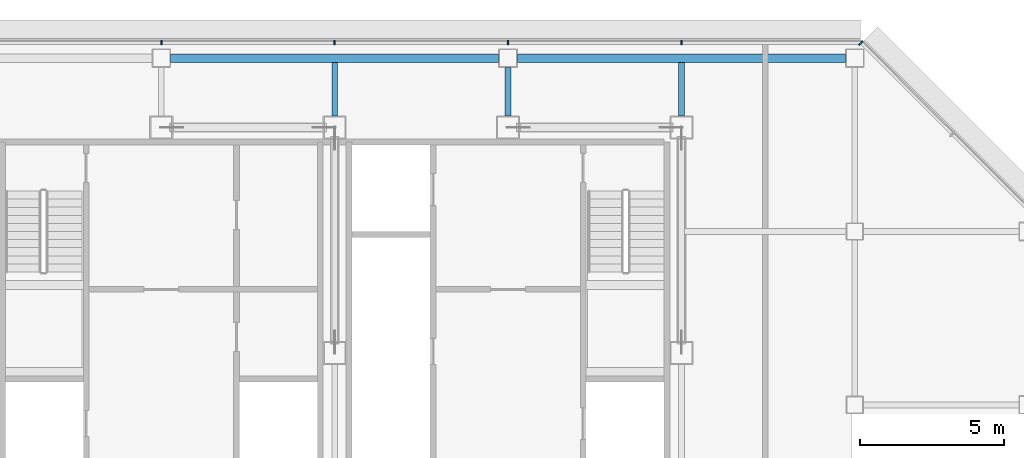
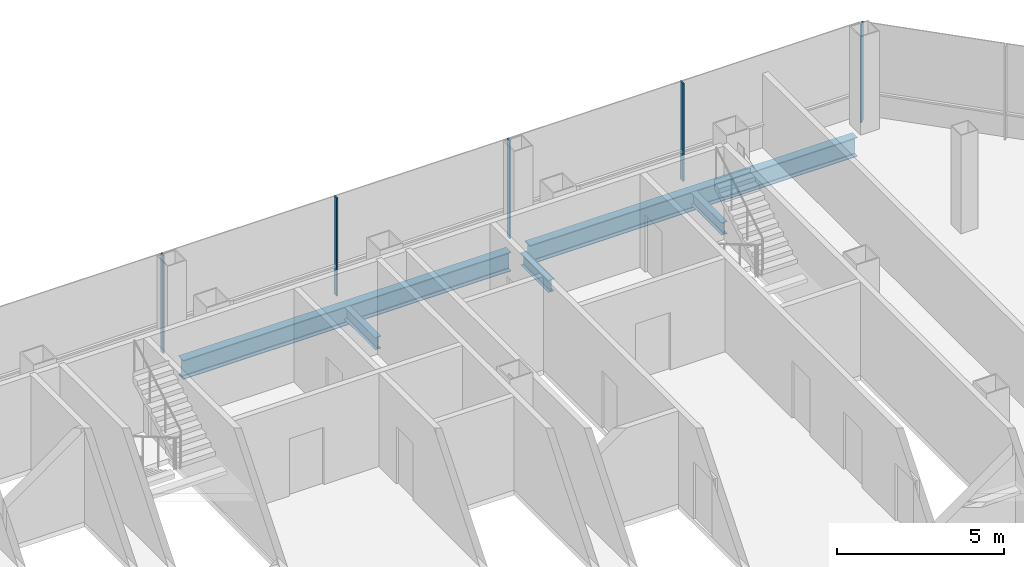
# One storey, part 15 of 27: 5 beams, 5 members, 2 elements without a shape of their own.
"""IFC4 building model written with IfcOpenShell, lengths in metres."""

from ifc_helpers import new_model, si_unit, direction, frame, origin, origin_2d, place, context, subcontext, project, spatial, rectangle, i_section, extrude, material, material_profile, profile_set, type_object, element, aggregate, save


model = new_model("IFC4")

# Units and contexts
model_context = context("Model", 3, precision=1e-05, world=origin(), true_north=direction((0.0, 1.0)))
body_context = subcontext(model_context, "Body", "Model", "MODEL_VIEW")
ifc_project = project(units=[si_unit("LENGTHUNIT", "METRE"), si_unit("AREAUNIT", "SQUARE_METRE"), si_unit("VOLUMEUNIT", "CUBIC_METRE"), si_unit("PLANEANGLEUNIT", "RADIAN"), si_unit("MASSUNIT", "GRAM", prefix="KILO")], contexts=[model_context])

# Site, building, storey
site_placement = place(None, origin())
site = spatial("IfcSite", under=ifc_project, at=site_placement, CompositionType="ELEMENT")
building_placement = place(site_placement, origin())
building = spatial("IfcBuilding", under=site, at=building_placement, Name="Sorahane Residences", CompositionType="ELEMENT")
storey_placement = place(building_placement, frame((0.0, 0.0, 226.199951171875)))
storey = spatial("IfcBuildingStorey", under=building, at=storey_placement, Name="L53", CompositionType="ELEMENT", Elevation=226.199951171875)

# Curtain wall, members
ifc_material_1 = material(Name="Dark low-e glass and black anodised aluminium", Category="aluminium")
curtain_wall_type_1 = type_object("IfcCurtainWallType", Name="Curtain wall CW-1 Typical unitised wall", PredefinedType="NOTDEFINED", material=ifc_material_1)
curtain_wall_1_placement = place(storey_placement, origin())
curtain_wall_1 = element("IfcCurtainWall", 1, at=curtain_wall_1_placement, inside=storey, type_object=curtain_wall_type_1, Name="CW-1 curtain wall L53 N1", PredefinedType="NOTDEFINED")
ifc_material_2 = material(Name="Black anodised aluminium", Category="aluminium")
ifc_material_profile_1 = material_profile(ifc_material_2, rectangle(XDim=0.159912109375, YDim=0.050048828125, at=origin_2d()), Name="Curtain wall mullion CW-1 black anodised aluminium 50x160")
ifc_profile_set_1 = profile_set([ifc_material_profile_1], Name="Black anodised aluminium")
member_type_1 = type_object("IfcMemberType", Name="Curtain wall mullion CW-1 black anodised aluminium 50x160", PredefinedType="MULLION", material=ifc_profile_set_1)
member_1_placement = place(storey_placement, frame((42.0, 48.5400390625, -0.179931640625), z_axis=(0.0, 0.0, 1.0), x_axis=(0.0, 1.0, 0.0)))
member_1 = element("IfcMember", 2, at=member_1_placement, type_object=member_type_1, Name="CW-1 mullion L53 N1.2", PredefinedType="MULLION", context=body_context, shape_type="SweptSolid", body=[
    extrude(rectangle(XDim=0.159912109375, YDim=0.050048828125, at=origin_2d()), origin(), (0.0, 0.0, 1.0), 3.60009765625),
])
member_2_placement = place(storey_placement, frame((36.0, 48.5400390625, -0.179931640625), z_axis=(0.0, 0.0, 1.0), x_axis=(0.0, 1.0, 0.0)))
member_2 = element("IfcMember", 3, at=member_2_placement, type_object=member_type_1, Name="CW-1 mullion L53 N1.3", PredefinedType="MULLION", context=body_context, shape_type="SweptSolid", body=[
    extrude(rectangle(XDim=0.159912109375, YDim=0.050048828125, at=origin_2d()), origin(), (0.0, 0.0, 1.0), 3.60009765625),
])
member_3_placement = place(storey_placement, frame((30.0, 48.5400390625, -0.179931640625), z_axis=(0.0, 0.0, 1.0), x_axis=(0.0, 1.0, 0.0)))
member_3 = element("IfcMember", 4, at=member_3_placement, type_object=member_type_1, Name="CW-1 mullion L53 N1.4", PredefinedType="MULLION", context=body_context, shape_type="SweptSolid", body=[
    extrude(rectangle(XDim=0.159912109375, YDim=0.050048828125, at=origin_2d()), origin(), (0.0, 0.0, 1.0), 3.60009765625),
])
member_4_placement = place(storey_placement, frame((24.0, 48.5400390625, -0.179931640625), z_axis=(0.0, 0.0, 1.0), x_axis=(0.0, 1.0, 0.0)))
member_4 = element("IfcMember", 5, at=member_4_placement, type_object=member_type_1, Name="CW-1 mullion L53 N1.5", PredefinedType="MULLION", context=body_context, shape_type="SweptSolid", body=[
    extrude(rectangle(XDim=0.159912109375, YDim=0.050048828125, at=origin_2d()), origin(), (0.0, 0.0, 1.0), 3.60009765625),
])
aggregate(curtain_wall_1, [member_1, member_2, member_3, member_4])

# Curtain wall, member
ifc_material_3 = material(Name="Dark low-e glass and black anodised aluminium", Category="aluminium")
curtain_wall_type_2 = type_object("IfcCurtainWallType", Name="Curtain wall CW-2 Chamfer unitised wall", PredefinedType="NOTDEFINED", material=ifc_material_3)
curtain_wall_2_placement = place(storey_placement, origin())
curtain_wall_2 = element("IfcCurtainWall", 6, at=curtain_wall_2_placement, inside=storey, type_object=curtain_wall_type_2, Name="CW-2 curtain wall L53 NE1", PredefinedType="NOTDEFINED")
ifc_material_4 = material(Name="Black anodised aluminium", Category="aluminium")
ifc_material_profile_2 = material_profile(ifc_material_4, rectangle(XDim=0.199951171875, YDim=0.050048828125, at=origin_2d()), Name="Curtain wall mullion CW-2 black anodised aluminium 50x200")
ifc_profile_set_2 = profile_set([ifc_material_profile_2], Name="Black anodised aluminium")
member_type_2 = type_object("IfcMemberType", Name="Curtain wall mullion CW-2 black anodised aluminium 50x200", PredefinedType="MULLION", material=ifc_profile_set_2)
member_5_placement = place(storey_placement, frame((48.209716796875, 48.525634765625, -0.179931640625), z_axis=(0.0, 0.0, 1.0), x_axis=(0.707106781187, 0.707106781187, 0.0)))
member_5 = element("IfcMember", 7, at=member_5_placement, type_object=member_type_2, Name="CW-2 mullion L53 NE1.3", PredefinedType="MULLION", context=body_context, shape_type="SweptSolid", body=[
    extrude(rectangle(XDim=0.199951171875, YDim=0.050048828125, at=origin_2d()), origin(), (0.0, 0.0, 1.0), 3.60009765625),
])
aggregate(curtain_wall_2, [member_5])

# Beams
ifc_material_5 = material(Name="Steel Q355B", Category="steel")
ifc_material_profile_3 = material_profile(ifc_material_5, i_section(OverallWidth=0.199951171875, OverallDepth=0.449951171875, WebThickness=0.009033203125, FlangeThickness=0.013916015625, FilletRadius=0.02001953125, at=origin_2d()), Name="HN 450x200x9x14")
ifc_profile_set_3 = profile_set([ifc_material_profile_3], Name="Steel Q355B")
beam_type_1 = type_object("IfcBeamType", Name="Steel floor beam HN 450x200x9x14 Q355B", PredefinedType="BEAM", material=ifc_profile_set_3)
beam_1_placement = place(storey_placement, frame((30.0, 46.0, -0.405029296875), z_axis=(0.0, 1.0, 0.0), x_axis=(-1.0, 0.0, 0.0)))
element("IfcBeam", 8, at=beam_1_placement, inside=storey, type_object=beam_type_1, Name="Beam L53 049", PredefinedType="BEAM", context=body_context, shape_type="SweptSolid", body=[
    extrude(i_section(OverallWidth=0.199951171875, OverallDepth=0.449951171875, WebThickness=0.009033203125, FlangeThickness=0.013916015625, FilletRadius=0.02001953125, at=origin_2d()), origin(), (0.0, 0.0, 1.0), 1.85009765625),
])
beam_2_placement = place(storey_placement, frame((36.0, 46.0, -0.405029296875), z_axis=(0.0, 1.0, 0.0), x_axis=(-1.0, 0.0, 0.0)))
element("IfcBeam", 9, at=beam_2_placement, inside=storey, type_object=beam_type_1, Name="Beam L53 051", PredefinedType="BEAM", context=body_context, shape_type="SweptSolid", body=[
    extrude(i_section(OverallWidth=0.199951171875, OverallDepth=0.449951171875, WebThickness=0.009033203125, FlangeThickness=0.013916015625, FilletRadius=0.02001953125, at=origin_2d()), origin(), (0.0, 0.0, 1.0), 1.675048828125),
])
beam_3_placement = place(storey_placement, frame((42.0, 46.0, -0.405029296875), z_axis=(0.0, 1.0, 0.0), x_axis=(-1.0, 0.0, 0.0)))
element("IfcBeam", 10, at=beam_3_placement, inside=storey, type_object=beam_type_1, Name="Beam L53 057", PredefinedType="BEAM", context=body_context, shape_type="SweptSolid", body=[
    extrude(i_section(OverallWidth=0.199951171875, OverallDepth=0.449951171875, WebThickness=0.009033203125, FlangeThickness=0.013916015625, FilletRadius=0.02001953125, at=origin_2d()), origin(), (0.0, 0.0, 1.0), 1.85009765625),
])
ifc_material_6 = material(Name="Steel Q355B", Category="steel")
ifc_material_profile_4 = material_profile(ifc_material_6, i_section(OverallWidth=0.300048828125, OverallDepth=0.699951171875, WebThickness=0.012939453125, FlangeThickness=0.02392578125, FilletRadius=0.028076171875, at=origin_2d()), Name="HN 700x300x13x24")
ifc_profile_set_4 = profile_set([ifc_material_profile_4], Name="Steel Q355B")
beam_type_2 = type_object("IfcBeamType", Name="Steel floor beam HN 700x300x13x24 Q355B", PredefinedType="BEAM", material=ifc_profile_set_4)
for number, where, z_axis, x_axis, name in (
    (11, (24.324951171875, 48.0, -0.530029296875), (1.0, 0.0, 0.0), (0.0, 1.0, 0.0), "Beam L53 018"),
    (12, (36.324951171875, 48.0, -0.530029296875), (1.0, 0.0, 0.0), (0.0, 1.0, 0.0), "Beam L53 019"),
):
    element("IfcBeam", number, at=place(storey_placement, frame(where, z_axis=z_axis, x_axis=x_axis)), inside=storey, type_object=beam_type_2, Name=name, PredefinedType="BEAM", context=body_context, shape_type="SweptSolid", body=[
        extrude(i_section(OverallWidth=0.300048828125, OverallDepth=0.699951171875, WebThickness=0.012939453125, FlangeThickness=0.02392578125, FilletRadius=0.028076171875, at=origin_2d()), origin(), (0.0, 0.0, 1.0), 11.35009765625),
    ])

save(model, "model.ifc")
